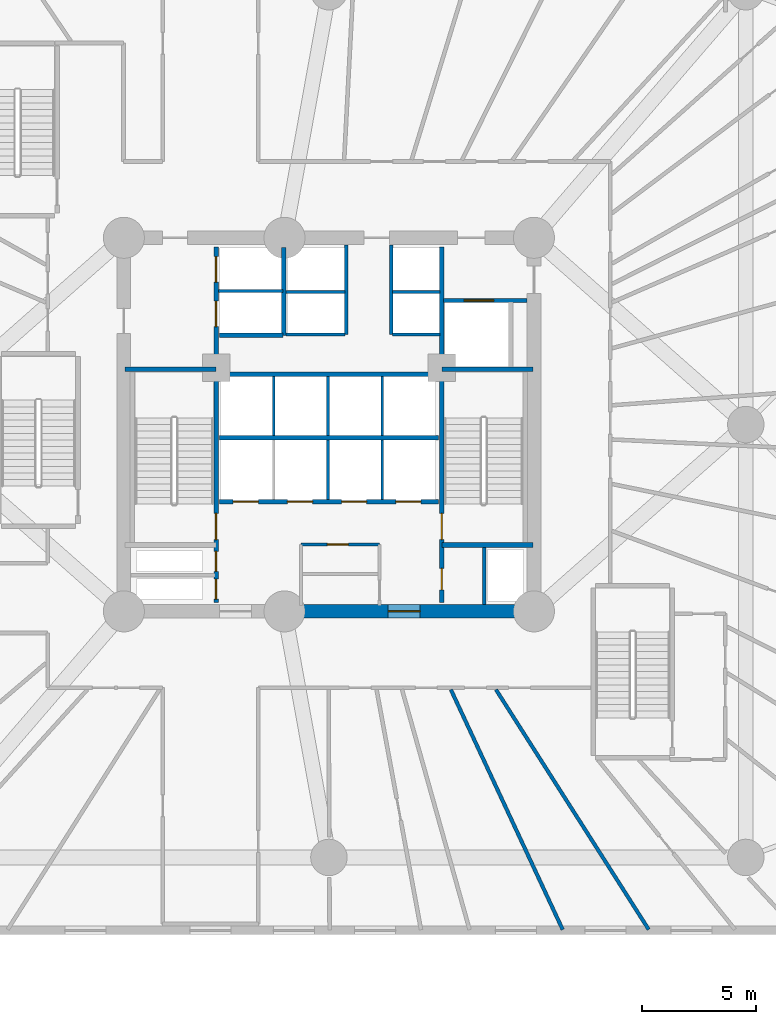
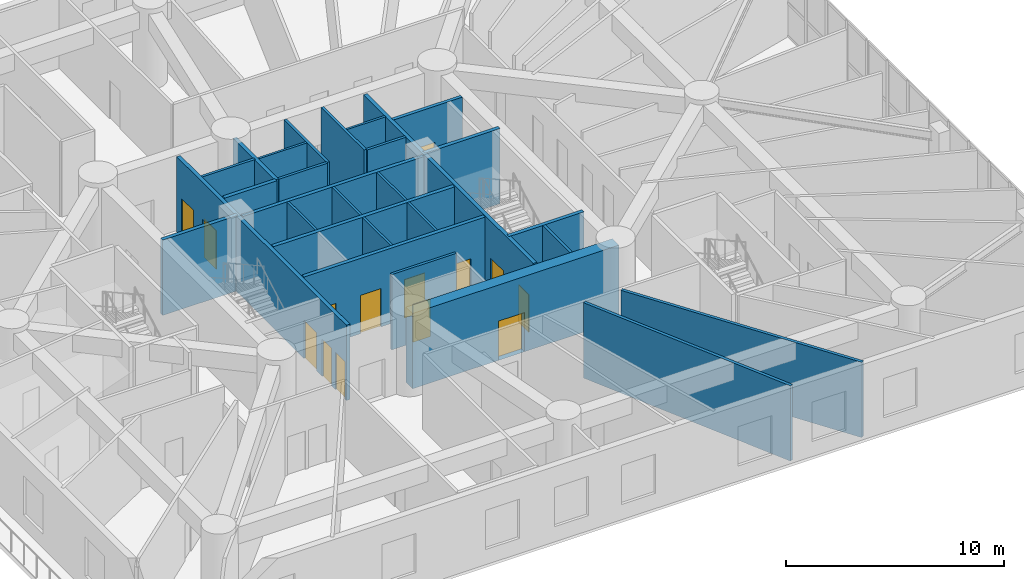
# One storey, part 14 of 24: 28 walls, 14 doors, 14 openings.
"""IFC4 building model written with IfcOpenShell, lengths in metres."""

import ifcopenshell
import ifcopenshell.guid

model = None  # the IFC model being written
_history = None  # IfcOwnerHistory: only IFC2X3 demands one
_inside = {}  # id of a spatial element -> (the spatial element, [elements in it])
_under = {}  # id of a project, library or spatial element -> (it, [spatial elements below it])
_declared = {}  # id of a project -> (the project, [libraries it declares])
_typed = {}  # id of a type object -> (the type object, [elements of that type])
_made_of = {}  # id of a material, layer set ... -> (it, [elements and type objects made of it])


def new_model(schema):
    """Start an empty IFC model of exactly this schema.

    Asked for "IFC4X3", IfcOpenShell would pick the latest addendum, in which some entities
    have other attributes; the version numbers below select the first issue.
    IFC2X3 requires an IfcOwnerHistory on every rooted entity: one is made here for all.
    """
    global model, _history
    if schema == "IFC4X3":
        model = ifcopenshell.file(schema_version=(4, 3, 0, 0))
    else:
        model = ifcopenshell.file(schema=schema)
    _inside.clear()
    _under.clear()
    _declared.clear()
    _typed.clear()
    _made_of.clear()
    _history = None
    if model.schema == "IFC2X3":
        org = make("IfcOrganization", Name="unknown")
        user = make(
            "IfcPersonAndOrganization",
            ThePerson=make("IfcPerson", FamilyName="unknown"),
            TheOrganization=org,
        )
        app = make(
            "IfcApplication",
            ApplicationDeveloper=org,
            Version="unknown",
            ApplicationFullName="unknown",
            ApplicationIdentifier="unknown",
        )
        _history = make(
            "IfcOwnerHistory",
            OwningUser=user,
            OwningApplication=app,
            ChangeAction="ADDED",
            CreationDate=0,
        )
    return model


def make(cls, **values):
    """One entity of the class cls with the attributes given. An attribute that is None is left unset."""
    return model.create_entity(
        cls, **{name: value for name, value in values.items() if value is not None}
    )


def rooted(cls, **values):
    """An entity with a GlobalId (a new one), such as an element, a storey or a relation."""
    return make(cls, GlobalId=ifcopenshell.guid.new(), OwnerHistory=_history, **values)


def si_unit(unit_type, name, prefix=None):
    """IfcSIUnit, for example si_unit("LENGTHUNIT", "METRE", prefix="MILLI")."""
    return make("IfcSIUnit", UnitType=unit_type, Prefix=prefix, Name=name)


def assignment(units):
    """IfcUnitAssignment: the units of a project."""
    return None if units is None else make("IfcUnitAssignment", Units=units)


def point(xyz):
    """IfcCartesianPoint."""
    return None if xyz is None else make("IfcCartesianPoint", Coordinates=xyz)


def direction(xyz):
    """IfcDirection."""
    return None if xyz is None else make("IfcDirection", DirectionRatios=xyz)


def frame(location, z_axis=None, x_axis=None):
    """IfcAxis2Placement3D, a coordinate frame: its origin and axes. An axis left out is left unset."""
    return make(
        "IfcAxis2Placement3D",
        Location=point(location),
        Axis=direction(z_axis),
        RefDirection=direction(x_axis),
    )


def frame_2d(location, x_axis=None):
    """IfcAxis2Placement2D, a coordinate frame in the plane: its origin and x axis."""
    return make(
        "IfcAxis2Placement2D", Location=point(location), RefDirection=direction(x_axis)
    )


def origin():
    """The frame at (0, 0, 0) with its axes left unset."""
    return frame((0.0, 0.0, 0.0))


def origin_with_axes():
    """The frame at (0, 0, 0) with the z axis (0, 0, 1) and the x axis (1, 0, 0) written out."""
    return frame((0.0, 0.0, 0.0), z_axis=(0.0, 0.0, 1.0), x_axis=(1.0, 0.0, 0.0))


def place(relative_to, where):
    """IfcLocalPlacement: puts the frame where relative to a parent placement (None: the world)."""
    return make(
        "IfcLocalPlacement", PlacementRelTo=relative_to, RelativePlacement=where
    )


def context(
    kind, dimensions, precision=None, world=None, true_north=None, identifier=None
):
    """IfcGeometricRepresentationContext, for example the 3D "Model" context."""
    return make(
        "IfcGeometricRepresentationContext",
        ContextIdentifier=identifier,
        ContextType=kind,
        CoordinateSpaceDimension=dimensions,
        Precision=precision,
        WorldCoordinateSystem=world,
        TrueNorth=true_north,
    )


def subcontext(parent, identifier, kind, view, scale=None):
    """IfcGeometricRepresentationSubContext, for example "Body" below "Model"."""
    return make(
        "IfcGeometricRepresentationSubContext",
        ContextIdentifier=identifier,
        ContextType=kind,
        ParentContext=parent,
        TargetScale=scale,
        TargetView=view,
    )


def project(units=None, contexts=None):
    """IfcProject with its units and contexts."""
    return rooted(
        "IfcProject",
        Name="project",
        RepresentationContexts=contexts,
        UnitsInContext=assignment(units),
    )


def spatial(cls, under=None, at=None, **own):
    """A site, building, storey or space (cls), placed at a placement, below another one or the project."""
    s = rooted(cls, ObjectPlacement=at, **own)
    if under is not None:
        _under.setdefault(under.id(), (under, []))[1].append(s)
    return s


def profile(cls, at=None, kind="AREA", **sizes):
    """A parametric profile (cls). Its sizes go by their IFC names, for example OverallWidth=200.0."""
    return make(cls, ProfileType=kind, Position=at, **sizes)


def rectangle(**sizes):
    """IfcRectangleProfileDef."""
    return profile("IfcRectangleProfileDef", **sizes)


def extrude(swept, where, along, depth):
    """IfcExtrudedAreaSolid: the profile swept, set in the frame where, extruded along a direction by depth."""
    return make(
        "IfcExtrudedAreaSolid",
        SweptArea=swept,
        Position=where,
        ExtrudedDirection=direction(along),
        Depth=depth,
    )


def shape(context_of_items, identifier, shape_type, items):
    """IfcShapeRepresentation: the items that make up one representation, for example the "Body"."""
    return make(
        "IfcShapeRepresentation",
        ContextOfItems=context_of_items,
        RepresentationIdentifier=identifier,
        RepresentationType=shape_type,
        Items=items,
    )


def source(mapping_origin, context_of_items, identifier, shape_type, items):
    """IfcRepresentationMap: a shape defined once, which mapped items show again and again."""
    return make(
        "IfcRepresentationMap",
        MappingOrigin=mapping_origin,
        MappedRepresentation=shape(context_of_items, identifier, shape_type, items),
    )


def transform(
    local_origin,
    x_axis=None,
    y_axis=None,
    z_axis=None,
    scale=None,
    scale2=None,
    scale3=None,
    uniform=True,
):
    """IfcCartesianTransformationOperator3D, or its non-uniform kind. x_axis, y_axis, z_axis: its Axis1, 2, 3."""
    if uniform:
        return make(
            "IfcCartesianTransformationOperator3D",
            Axis1=direction(x_axis),
            Axis2=direction(y_axis),
            LocalOrigin=point(local_origin),
            Scale=scale,
            Axis3=direction(z_axis),
        )
    return make(
        "IfcCartesianTransformationOperator3DnonUniform",
        Axis1=direction(x_axis),
        Axis2=direction(y_axis),
        LocalOrigin=point(local_origin),
        Scale=scale,
        Axis3=direction(z_axis),
        Scale2=scale2,
        Scale3=scale3,
    )


def mapped(mapping_source, mapping_target):
    """IfcMappedItem: shows the shape of a source again, moved by a transform."""
    return make(
        "IfcMappedItem", MappingSource=mapping_source, MappingTarget=mapping_target
    )


def material(Name=None, Category=None):
    """IfcMaterial."""
    return make("IfcMaterial", Name=Name, Category=Category)


def layer(
    of_material, thickness, ventilated=None, Name=None, Category=None, Priority=None
):
    """IfcMaterialLayer: one layer of a wall or slab, of a material (None: an air gap)."""
    return make(
        "IfcMaterialLayer",
        Material=of_material,
        LayerThickness=thickness,
        IsVentilated=ventilated,
        Name=Name,
        Category=Category,
        Priority=Priority,
    )


def layer_set(layers, Name=None):
    """IfcMaterialLayerSet."""
    return make("IfcMaterialLayerSet", MaterialLayers=layers, LayerSetName=Name)


def made_of(thing, what):
    """Note that an element or type object is made of a material, layer set ...; save() writes the relation."""
    if what is not None:
        _made_of.setdefault(what.id(), (what, []))[1].append(thing)
    return thing


def type_object(cls, material=None, **own):
    """A type object (cls), such as IfcWallType, which elements share."""
    return made_of(rooted(cls, **own), material)


def element(
    cls,
    number,
    at=None,
    inside=None,
    cuts=None,
    type_object=None,
    material=None,
    context=None,
    identifier="Body",
    shape_type=None,
    held_by="IfcProductDefinitionShape",
    body=None,
    shapes=None,
    **own,
):
    """One element of the class cls, such as IfcWall. Its Tag is "e" and its number.

    at: its placement. inside: the storey or other place that contains it. cuts: it is an
    opening in that element (IfcRelVoidsElement). A single representation is given by context,
    identifier, shape_type and body (its items); several are given by shapes. held_by: the class
    of the entity that holds the representations. save() writes the other relations.
    """
    e = rooted(cls, Tag="e%d" % number, ObjectPlacement=at, **own)
    if body is not None:
        shapes = [shape(context, identifier, shape_type, body)]
    if shapes is not None:
        e.Representation = make(held_by, Representations=shapes)
    if inside is not None:
        _inside.setdefault(inside.id(), (inside, []))[1].append(e)
    if cuts is not None:
        rooted(
            "IfcRelVoidsElement", RelatingBuildingElement=cuts, RelatedOpeningElement=e
        )
    if type_object is not None:
        _typed.setdefault(type_object.id(), (type_object, []))[1].append(e)
    return made_of(e, material)


def fill(opening, filler):
    """IfcRelFillsElement: the door or window that sits in an opening."""
    return rooted(
        "IfcRelFillsElement",
        RelatingOpeningElement=opening,
        RelatedBuildingElement=filler,
    )


def aggregate(whole, parts):
    """IfcRelAggregates: a whole, such as a stair, and the parts it consists of."""
    return rooted("IfcRelAggregates", RelatingObject=whole, RelatedObjects=parts)


def save(model, path):
    """Write the relations noted so far, then the file.

    IfcRelAggregates (storeys below a building ...), IfcRelContainedInSpatialStructure (elements
    in a storey), IfcRelDefinesByType, IfcRelAssociatesMaterial and IfcRelDeclares: one each for
    every whole, place, type object, material and project.
    """
    for whole, parts in _under.values():
        aggregate(whole, parts)
    for where, things in _inside.values():
        rooted(
            "IfcRelContainedInSpatialStructure",
            RelatedElements=things,
            RelatingStructure=where,
        )
    for kind, things in _typed.values():
        rooted("IfcRelDefinesByType", RelatedObjects=things, RelatingType=kind)
    for what, things in _made_of.values():
        rooted("IfcRelAssociatesMaterial", RelatedObjects=things, RelatingMaterial=what)
    for by, libraries in _declared.values():
        rooted("IfcRelDeclares", RelatingContext=by, RelatedDefinitions=libraries)
    model.write(path)


model = new_model("IFC4")

# Units and contexts
model_context = context("Model", 3, precision=1e-05, world=origin(), true_north=direction((0.0, 1.0)))
body_context = subcontext(model_context, "Body", "Model", "MODEL_VIEW")
ifc_project = project(units=[si_unit("LENGTHUNIT", "METRE"), si_unit("AREAUNIT", "SQUARE_METRE"), si_unit("VOLUMEUNIT", "CUBIC_METRE"), si_unit("PLANEANGLEUNIT", "RADIAN"), si_unit("MASSUNIT", "GRAM", prefix="KILO")], contexts=[model_context])

# Site, building, storey
site_placement = place(None, origin())
site = spatial("IfcSite", under=ifc_project, at=site_placement, CompositionType="ELEMENT")
building_placement = place(site_placement, origin())
building = spatial("IfcBuilding", under=site, at=building_placement, Name="Karkom Vertical University and Central Library", CompositionType="ELEMENT")
storey_placement = place(building_placement, frame((0.0, 0.0, 13.5)))
storey = spatial("IfcBuildingStorey", under=building, at=storey_placement, Name="L03", CompositionType="ELEMENT", Elevation=13.5)

# Walls
ifc_material_1 = material(Name="Insulated metal-stud drywall 160mm", Category="gypsum")
ifc_layer_1 = layer(ifc_material_1, 0.159912109375)
ifc_layer_set_1 = layer_set([ifc_layer_1], Name="Insulated metal-stud drywall 160mm")
wall_type_1 = type_object("IfcWallType", Name="INT-WL-COR-160", PredefinedType="PARTITIONING", material=ifc_layer_set_1)
wall_1_placement = place(storey_placement, frame((35.8330078125, 14.867919921875, 0.0), z_axis=(0.0, 0.0, 1.0), x_axis=(0.536972913637, -0.843599484364, 0.0)))
element("IfcWall", 1, at=wall_1_placement, inside=storey, type_object=wall_type_1, Name="Level 03 Interior Partition Wall Level 03-PODW-12-13-1", PredefinedType="PARTITIONING", context=body_context, shape_type="SweptSolid", body=[
    extrude(rectangle(XDim=12.4853515625, YDim=0.159912109375, at=frame_2d((6.24267578125, 0.0))), origin(), (0.0, 0.0, 1.0), 4.22509765625),
])
wall_2_placement = place(storey_placement, frame((33.852783203125, 14.867919921875, 0.0), z_axis=(0.0, 0.0, 1.0), x_axis=(0.422301287801, -0.906455526941, 0.0)))
element("IfcWall", 2, at=wall_2_placement, inside=storey, type_object=wall_type_1, Name="Level 03 Interior Partition Wall Level 03-PODW-11-12-1", PredefinedType="PARTITIONING", context=body_context, shape_type="SweptSolid", body=[
    extrude(rectangle(XDim=11.624267578125, YDim=0.159912109375, at=frame_2d((5.81201171875, 0.0))), origin(), (0.0, 0.0, 1.0), 4.22509765625),
])
ifc_material_2 = material(Name="Moisture-resistant drywall 120mm", Category="gypsum")
ifc_layer_2 = layer(ifc_material_2, 0.1201171875)
ifc_layer_set_2 = layer_set([ifc_layer_2], Name="Moisture-resistant drywall 120mm")
wall_type_2 = type_object("IfcWallType", Name="INT-WL-INT-120H", PredefinedType="PARTITIONING", material=ifc_layer_set_2)
for number, where, z_axis, x_axis, name in (
    (3, (28.4599609375, 23.219970703125, 0.0), (0.0, 0.0, 1.0), (0.0, 1.0, 0.0), "Level 03 Interior Partition Wall Level 03-CW-PL-DIV2"),
    (4, (30.840087890625, 23.219970703125, 0.0), (0.0, 0.0, 1.0), (0.0, 1.0, 0.0), "Level 03 Interior Partition Wall Level 03-CW-PL-DIV3"),
    (5, (26.080078125, 26.02001953125, 0.0), (0.0, 0.0, 1.0), (0.0, 1.0, 0.0), "Level 03 Interior Partition Wall Level 03-CW-PM-DIV1"),
    (6, (28.4599609375, 26.02001953125, 0.0), (0.0, 0.0, 1.0), (0.0, 1.0, 0.0), "Level 03 Interior Partition Wall Level 03-CW-PM-DIV2"),
    (7, (30.840087890625, 26.02001953125, 0.0), (0.0, 0.0, 1.0), (0.0, 1.0, 0.0), "Level 03 Interior Partition Wall Level 03-CW-PM-DIV3"),
):
    element("IfcWall", number, at=place(storey_placement, frame(where, z_axis=z_axis, x_axis=x_axis)), inside=storey, type_object=wall_type_2, Name=name, PredefinedType="PARTITIONING", context=body_context, shape_type="SweptSolid", body=[
        extrude(rectangle(XDim=2.60009765625, YDim=0.1201171875, at=frame_2d((1.300048828125, 0.0))), origin(), (0.0, 0.0, 1.0), 4.22509765625),
    ])
wall_3_placement = place(storey_placement, frame((26.6201171875, 32.320068359375, 0.0), z_axis=(0.0, 0.0, 1.0), x_axis=(1.0, 0.0, 0.0)))
element("IfcWall", 8, at=wall_3_placement, inside=storey, type_object=wall_type_2, Name="Level 03 Interior Partition Wall Level 03-CW-PH-MW", PredefinedType="PARTITIONING", context=body_context, shape_type="SweptSolid", body=[
    extrude(rectangle(XDim=2.579833984375, YDim=0.1201171875, at=frame_2d((1.2900390625, 0.0))), origin(), (0.0, 0.0, 1.0), 4.22509765625),
])
wall_4_placement = place(storey_placement, frame((31.300048828125, 32.320068359375, 0.0), z_axis=(0.0, 0.0, 1.0), x_axis=(1.0, 0.0, 0.0)))
element("IfcWall", 9, at=wall_4_placement, inside=storey, type_object=wall_type_2, Name="Level 03 Interior Partition Wall Level 03-CW-PH-ME", PredefinedType="PARTITIONING", context=body_context, shape_type="SweptSolid", body=[
    extrude(rectangle(XDim=2.074951171875, YDim=0.1201171875, at=frame_2d((1.03759765625, 0.0))), origin(), (0.0, 0.0, 1.0), 4.22509765625),
])

# Wall, opening, door
ifc_material_3 = material(Name="Metal-stud gypsum partition 140mm", Category="gypsum")
ifc_layer_3 = layer(ifc_material_3, 0.139892578125)
ifc_layer_set_3 = layer_set([ifc_layer_3], Name="Metal-stud gypsum partition 140mm")
wall_type_3 = type_object("IfcWallType", Name="INT-WL-SUB-140", PredefinedType="PARTITIONING", material=ifc_layer_set_3)
wall_5_placement = place(storey_placement, frame((27.280029296875, 21.239990234375, 0.0), z_axis=(0.0, 0.0, 1.0), x_axis=(1.0, 0.0, 0.0)))
wall_5 = element("IfcWall", 10, at=wall_5_placement, inside=storey, type_object=wall_type_3, Name="Level 03 Interior Partition Wall Level 03-CW-KBAY-N", PredefinedType="PARTITIONING", context=body_context, shape_type="SweptSolid", body=[
    extrude(rectangle(XDim=3.43994140625, YDim=0.139892578125, at=frame_2d((1.719970703125, 0.0))), origin(), (0.0, 0.0, 1.0), 4.22509765625),
])
opening_1_placement = place(wall_5_placement, frame((1.14990234375, 0.0, 0.0)))
opening_1 = element("IfcOpeningElement", 11, at=opening_1_placement, cuts=wall_5, Name="Opening D-SVC1", PredefinedType="OPENING", context=body_context, shape_type="SweptSolid", body=[
    extrude(rectangle(XDim=0.919921875, YDim=2.10009765625, at=frame_2d((0.4599609375, 1.050048828125))), frame((0.0, 0.080078125, 0.0), z_axis=(0.0, -1.0, 0.0), x_axis=(1.0, 0.0, 0.0)), (0.0, 0.0, 1.0), 0.159912109375),
])
ifc_material_4 = material(Name="Painted timber service door", Category="wood")
door_type_1 = type_object("IfcDoorType", Name="INT-DR-SVC1", OperationType="NOTDEFINED", PredefinedType="DOOR", material=ifc_material_4)
shared_shape_1 = source(origin_with_axes(), body_context, "Body", "SweptSolid", [
    extrude(rectangle(XDim=0.919921875, YDim=2.10009765625, at=frame_2d((0.4599609375, 1.050048828125))), frame((0.0, 0.02490234375, 0.0), z_axis=(0.0, -1.0, 0.0), x_axis=(1.0, 0.0, 0.0)), (0.0, 0.0, 1.0), 0.050048828125),
])
door_1_placement = place(opening_1_placement, origin())
door_1 = element("IfcDoor", 12, at=door_1_placement, inside=storey, type_object=door_type_1, Name="Level 03 Valve Cupboard Door", OperationType="SINGLE_SWING_RIGHT", OverallHeight=2.10009765625, OverallWidth=0.919921875, PredefinedType="DOOR", context=body_context, shape_type="MappedRepresentation", body=[
    mapped(shared_shape_1, transform((0.0, 0.0, 0.0), scale=1.0)),
])
fill(opening_1, door_1)

# Walls
ifc_layer_4 = layer(ifc_material_3, 0.139892578125)
ifc_layer_set_4 = layer_set([ifc_layer_4], Name="Metal-stud gypsum partition 140mm")
wall_type_4 = type_object("IfcWallType", Name="INT-WL-SUB-140H", PredefinedType="PARTITIONING", material=ifc_layer_set_4)
for number, where, z_axis, x_axis, name in (
    (13, (29.260009765625, 30.449951171875, 0.0), (0.0, 0.0, 1.0), (0.0, 1.0, 0.0), "Level 03 Interior Partition Wall Level 03-CW-PH-W"),
    (14, (31.239990234375, 30.449951171875, 0.0), (0.0, 0.0, 1.0), (0.0, 1.0, 0.0), "Level 03 Interior Partition Wall Level 03-CW-PH-E"),
):
    element("IfcWall", number, at=place(storey_placement, frame(where, z_axis=z_axis, x_axis=x_axis)), inside=storey, type_object=wall_type_4, Name=name, PredefinedType="PARTITIONING", context=body_context, shape_type="SweptSolid", body=[
        extrude(rectangle(XDim=3.943115234375, YDim=0.139892578125, at=frame_2d((1.9716796875, 0.0))), origin(), (0.0, 0.0, 1.0), 4.22509765625),
    ])
wall_6_placement = place(storey_placement, frame((26.6201171875, 30.449951171875, 0.0), z_axis=(0.0, 0.0, 1.0), x_axis=(1.0, 0.0, 0.0)))
element("IfcWall", 15, at=wall_6_placement, inside=storey, type_object=wall_type_4, Name="Level 03 Interior Partition Wall Level 03-CW-PH-S1", PredefinedType="PARTITIONING", context=body_context, shape_type="SweptSolid", body=[
    extrude(rectangle(XDim=2.579833984375, YDim=0.139892578125, at=frame_2d((1.2900390625, 0.0))), origin(), (0.0, 0.0, 1.0), 4.22509765625),
])
wall_7_placement = place(storey_placement, frame((35.320068359375, 18.60693359375, 0.0), z_axis=(0.0, 0.0, 1.0), x_axis=(0.0, 1.0, 0.0)))
element("IfcWall", 16, at=wall_7_placement, inside=storey, type_object=wall_type_4, Name="Level 03 Interior Partition Wall Level 03-CW-RIS-E", PredefinedType="PARTITIONING", context=body_context, shape_type="SweptSolid", body=[
    extrude(rectangle(XDim=2.502685546875, YDim=0.139892578125, at=frame_2d((1.25146484375, 0.0))), origin(), (0.0, 0.0, 1.0), 4.22509765625),
])
wall_8_placement = place(storey_placement, frame((31.300048828125, 30.449951171875, 0.0), z_axis=(0.0, 0.0, 1.0), x_axis=(1.0, 0.0, 0.0)))
element("IfcWall", 17, at=wall_8_placement, inside=storey, type_object=wall_type_4, Name="Level 03 Interior Partition Wall Level 03-CW-PH-S2", PredefinedType="PARTITIONING", context=body_context, shape_type="SweptSolid", body=[
    extrude(rectangle(XDim=2.074951171875, YDim=0.139892578125, at=frame_2d((1.03759765625, 0.0))), origin(), (0.0, 0.0, 1.0), 4.22509765625),
])
ifc_layer_5 = layer(ifc_material_3, 0.139892578125)
ifc_layer_set_5 = layer_set([ifc_layer_5], Name="Metal-stud gypsum partition 140mm")
wall_type_5 = type_object("IfcWallType", Name="INT-WL-SUB-140X", PredefinedType="PARTITIONING", material=ifc_layer_set_5)
wall_9_placement = place(storey_placement, frame((23.652099609375, 32.3701171875, 0.0), z_axis=(0.0, 0.0, 1.0), x_axis=(1.0, 0.0, 0.0)))
element("IfcWall", 18, at=wall_9_placement, inside=storey, type_object=wall_type_5, Name="Level 03 Interior Partition Wall Level 03-CW-FFL-M", PredefinedType="PARTITIONING", context=body_context, shape_type="SweptSolid", body=[
    extrude(rectangle(XDim=2.827880859375, YDim=0.139892578125, at=frame_2d((1.4140625, 0.0))), origin(), (0.0, 0.0, 1.0), 4.22509765625),
])

# Wall, opening, door
ifc_material_5 = material(Name="Twin-stud acoustic drywall 180mm", Category="gypsum")
ifc_layer_6 = layer(ifc_material_5, 0.179931640625)
ifc_layer_set_6 = layer_set([ifc_layer_6], Name="Twin-stud acoustic drywall 180mm")
wall_type_6 = type_object("IfcWallType", Name="INT-WL-TEN-180F", PredefinedType="PARTITIONING", material=ifc_layer_set_6)
wall_10_placement = place(storey_placement, frame((33.534912109375, 31.949951171875, 0.0), z_axis=(0.0, 0.0, 1.0), x_axis=(1.0, 0.0, 0.0)))
wall_10 = element("IfcWall", 19, at=wall_10_placement, inside=storey, type_object=wall_type_6, Name="Level 03 Interior Partition Wall Level 03-CW-SVL-N", PredefinedType="PARTITIONING", context=body_context, shape_type="SweptSolid", body=[
    extrude(rectangle(XDim=3.658447265625, YDim=0.179931640625, at=frame_2d((1.8291015625, 0.0))), origin(), (0.0, 0.0, 1.0), 4.22509765625),
])
opening_2_placement = place(wall_10_placement, frame((0.89990234375, 0.0, 0.0)))
opening_2 = element("IfcOpeningElement", 20, at=opening_2_placement, cuts=wall_10, Name="Opening LD-SV1", PredefinedType="OPENING", context=body_context, shape_type="SweptSolid", body=[
    extrude(rectangle(XDim=1.300048828125, YDim=2.199951171875, at=frame_2d((0.64990234375, 1.10009765625))), frame((0.0, 0.10009765625, 0.0), z_axis=(0.0, -1.0, 0.0), x_axis=(1.0, 0.0, 0.0)), (0.0, 0.0, 1.0), 0.199951171875),
])
ifc_material_6 = material(Name="Brushed stainless-steel landing door", Category="steel")
door_type_2 = type_object("IfcDoorType", Name="INT-DR-LD-SV1", OperationType="SLIDING_TO_LEFT", PredefinedType="DOOR", material=ifc_material_6)
shared_shape_2 = source(origin_with_axes(), body_context, "Body", "SweptSolid", [
    extrude(rectangle(XDim=1.300048828125, YDim=2.199951171875, at=frame_2d((0.64990234375, 1.10009765625))), frame((0.0, 0.02490234375, 0.0), z_axis=(0.0, -1.0, 0.0), x_axis=(1.0, 0.0, 0.0)), (0.0, 0.0, 1.0), 0.050048828125),
])
door_2_placement = place(opening_2_placement, origin())
door_2 = element("IfcDoor", 21, at=door_2_placement, inside=storey, type_object=door_type_2, Name="Level 03 Service Lift Landing Door LD-SV1", OperationType="SLIDING_TO_LEFT", OverallHeight=2.199951171875, OverallWidth=1.300048828125, PredefinedType="DOOR", context=body_context, shape_type="MappedRepresentation", body=[
    mapped(shared_shape_2, transform((0.0, 0.0, 0.0), scale=1.0)),
])
fill(opening_2, door_2)

ifc_material_7 = material(Name="Concrete C50/60", Category="concrete")
ifc_layer_7 = layer(ifc_material_7, 0.60009765625)
ifc_layer_set_7 = layer_set([ifc_layer_7], Name="Concrete C50/60")
wall_type_7 = type_object("IfcWallType", Name="STR-WL-CW-600", PredefinedType="SHEAR", material=ifc_layer_set_7)
wall_11_placement = place(storey_placement, frame((26.550048828125, 18.300048828125, 0.0), z_axis=(0.0, 0.0, 1.0), x_axis=(1.0, 0.0, 0.0)))
wall_11 = element("IfcWall", 22, at=wall_11_placement, inside=storey, type_object=wall_type_7, Name="Level 03 Central Core Shear Wall SW2", PredefinedType="SHEAR", context=body_context, shape_type="SweptSolid", body=[
    extrude(rectangle(XDim=10.949951171875, YDim=0.60009765625, at=frame_2d((5.47509765625, 0.0))), origin(), (0.0, 0.0, 1.0), 4.22509765625),
])
opening_3_placement = place(wall_11_placement, frame((4.550048828125, 0.0, 0.0)))
opening_3 = element("IfcOpeningElement", 23, at=opening_3_placement, cuts=wall_11, Name="Opening FD-CLB", PredefinedType="OPENING", context=body_context, shape_type="SweptSolid", body=[
    extrude(rectangle(XDim=1.39990234375, YDim=2.199951171875, at=frame_2d((0.699951171875, 1.10009765625))), frame((0.0, 0.31005859375, 0.0), z_axis=(0.0, -1.0, 0.0), x_axis=(1.0, 0.0, 0.0)), (0.0, 0.0, 1.0), 0.6201171875),
])
ifc_material_8 = material(Name="Painted steel fire door", Category="steel")
door_type_3 = type_object("IfcDoorType", Name="INT-DR-CLB", OperationType="DOUBLE_DOOR_SINGLE_SWING", PredefinedType="DOOR", material=ifc_material_8)
shared_shape_3 = source(origin_with_axes(), body_context, "Body", "SweptSolid", [
    extrude(rectangle(XDim=1.39990234375, YDim=2.199951171875, at=frame_2d((0.699951171875, 1.10009765625))), frame((0.0, 0.02490234375, 0.0), z_axis=(0.0, -1.0, 0.0), x_axis=(1.0, 0.0, 0.0)), (0.0, 0.0, 1.0), 0.050048828125),
])
door_3_placement = place(opening_3_placement, origin())
door_3 = element("IfcDoor", 24, at=door_3_placement, inside=storey, type_object=door_type_3, Name="Level 03 South Core Lobby East Exit Door", OperationType="DOUBLE_DOOR_SINGLE_SWING", OverallHeight=2.199951171875, OverallWidth=1.39990234375, PredefinedType="DOOR", context=body_context, shape_type="MappedRepresentation", body=[
    mapped(shared_shape_3, transform((0.0, 0.0, 0.0), scale=1.0)),
])
fill(opening_3, door_3)

# Wall, openings, doors
ifc_material_9 = material(Name="Concrete C45/55", Category="concrete")
ifc_layer_8 = layer(ifc_material_9, 0.199951171875)
ifc_layer_set_8 = layer_set([ifc_layer_8], Name="Concrete C45/55")
wall_type_8 = type_object("IfcWallType", Name="STR-WL-ST-200", PredefinedType="SHEAR", material=ifc_layer_set_8)
wall_12_placement = place(storey_placement, frame((23.544921875, 18.699951171875, 0.0), z_axis=(0.0, 0.0, 1.0), x_axis=(0.0, 1.0, 0.0)))
wall_12 = element("IfcWall", 25, at=wall_12_placement, inside=storey, type_object=wall_type_8, Name="Level 03 Core Shaft Wall Level 03-CW-ST1-E", PredefinedType="SHEAR", context=body_context, shape_type="SweptSolid", body=[
    extrude(rectangle(XDim=15.60009765625, YDim=0.199951171875, at=frame_2d((7.800048828125, 0.0))), origin(), (0.0, 0.0, 1.0), 4.22509765625),
])
opening_4_placement = place(wall_12_placement, frame((2.75, 0.0, 0.0)))
opening_4 = element("IfcOpeningElement", 26, at=opening_4_placement, cuts=wall_12, Name="Opening FD-ST1", PredefinedType="OPENING", context=body_context, shape_type="SweptSolid", body=[
    extrude(rectangle(XDim=1.14990234375, YDim=2.14990234375, at=frame_2d((0.574951171875, 1.074951171875))), frame((0.0, 0.10986328125, 0.0), z_axis=(0.0, -1.0, 0.0), x_axis=(1.0, 0.0, 0.0)), (0.0, 0.0, 1.0), 0.219970703125),
])
opening_5_placement = place(wall_12_placement, frame((0.139892578125, 0.0, 0.0)))
opening_5 = element("IfcOpeningElement", 27, at=opening_5_placement, cuts=wall_12, Name="Opening FD-RIS", PredefinedType="OPENING", context=body_context, shape_type="SweptSolid", body=[
    extrude(rectangle(XDim=0.8798828125, YDim=2.10009765625, at=frame_2d((0.43994140625, 1.050048828125))), frame((0.0, 0.10986328125, 0.0), z_axis=(0.0, -1.0, 0.0), x_axis=(1.0, 0.0, 0.0)), (0.0, 0.0, 1.0), 0.219970703125),
])
opening_6_placement = place(wall_12_placement, frame((1.360107421875, 0.0, 0.0)))
opening_6 = element("IfcOpeningElement", 28, at=opening_6_placement, cuts=wall_12, Name="Opening FD-RIS", PredefinedType="OPENING", context=body_context, shape_type="SweptSolid", body=[
    extrude(rectangle(XDim=0.8798828125, YDim=2.10009765625, at=frame_2d((0.43994140625, 1.050048828125))), frame((0.0, 0.10986328125, 0.0), z_axis=(0.0, -1.0, 0.0), x_axis=(1.0, 0.0, 0.0)), (0.0, 0.0, 1.0), 0.219970703125),
])
opening_7_placement = place(wall_12_placement, frame((12.10009765625, 0.0, 0.0)))
opening_7 = element("IfcOpeningElement", 29, at=opening_7_placement, cuts=wall_12, Name="Opening LD-FFL", PredefinedType="OPENING", context=body_context, shape_type="SweptSolid", body=[
    extrude(rectangle(XDim=1.1201171875, YDim=2.14990234375, at=frame_2d((0.56005859375, 1.074951171875))), frame((0.0, 0.10986328125, 0.0), z_axis=(0.0, -1.0, 0.0), x_axis=(1.0, 0.0, 0.0)), (0.0, 0.0, 1.0), 0.219970703125),
])
opening_8_placement = place(wall_12_placement, frame((14.050048828125, 0.0, 0.0)))
opening_8 = element("IfcOpeningElement", 30, at=opening_8_placement, cuts=wall_12, Name="Opening LD-FFL", PredefinedType="OPENING", context=body_context, shape_type="SweptSolid", body=[
    extrude(rectangle(XDim=1.1201171875, YDim=2.14990234375, at=frame_2d((0.56005859375, 1.074951171875))), frame((0.0, 0.10986328125, 0.0), z_axis=(0.0, -1.0, 0.0), x_axis=(1.0, 0.0, 0.0)), (0.0, 0.0, 1.0), 0.219970703125),
])
ifc_material_10 = material(Name="Painted steel acoustic fire door", Category="steel")
door_type_4 = type_object("IfcDoorType", Name="INT-DR-ST1", OperationType="NOTDEFINED", PredefinedType="DOOR", material=ifc_material_10)
shared_shape_4 = source(origin_with_axes(), body_context, "Body", "SweptSolid", [
    extrude(rectangle(XDim=1.14990234375, YDim=2.14990234375, at=frame_2d((0.574951171875, 1.074951171875))), frame((0.0, 0.02490234375, 0.0), z_axis=(0.0, -1.0, 0.0), x_axis=(1.0, 0.0, 0.0)), (0.0, 0.0, 1.0), 0.050048828125),
])
door_4_placement = place(opening_4_placement, origin())
door_4 = element("IfcDoor", 31, at=door_4_placement, inside=storey, type_object=door_type_4, Name="Level 03 Stair ST-1 Fire Door", OperationType="SINGLE_SWING_RIGHT", OverallHeight=2.14990234375, OverallWidth=1.14990234375, PredefinedType="DOOR", context=body_context, shape_type="MappedRepresentation", body=[
    mapped(shared_shape_4, transform((0.0, 0.0, 0.0), scale=1.0)),
])
fill(opening_4, door_4)
ifc_material_11 = material(Name="Painted steel riser access door", Category="steel")
door_type_5 = type_object("IfcDoorType", Name="INT-DR-RIS", OperationType="NOTDEFINED", PredefinedType="DOOR", material=ifc_material_11)
shared_shape_5 = source(origin_with_axes(), body_context, "Body", "SweptSolid", [
    extrude(rectangle(XDim=0.8798828125, YDim=2.10009765625, at=frame_2d((0.43994140625, 1.050048828125))), frame((0.0, 0.02490234375, 0.0), z_axis=(0.0, -1.0, 0.0), x_axis=(1.0, 0.0, 0.0)), (0.0, 0.0, 1.0), 0.050048828125),
])
door_5_placement = place(opening_5_placement, origin())
door_5 = element("IfcDoor", 32, at=door_5_placement, inside=storey, type_object=door_type_5, Name="Level 03 Electrical Riser Access Door", OperationType="SINGLE_SWING_RIGHT", OverallHeight=2.10009765625, OverallWidth=0.8798828125, PredefinedType="DOOR", context=body_context, shape_type="MappedRepresentation", body=[
    mapped(shared_shape_5, transform((0.0, 0.0, 0.0), scale=1.0)),
])
fill(opening_5, door_5)
door_6_placement = place(opening_6_placement, origin())
door_6 = element("IfcDoor", 33, at=door_6_placement, inside=storey, type_object=door_type_5, Name="Level 03 Telecom Riser Access Door", OperationType="SINGLE_SWING_LEFT", OverallHeight=2.10009765625, OverallWidth=0.8798828125, PredefinedType="DOOR", context=body_context, shape_type="MappedRepresentation", body=[
    mapped(shared_shape_5, transform((0.0, 0.0, 0.0), scale=1.0)),
])
fill(opening_6, door_6)
ifc_material_12 = material(Name="Fire-rated stainless-steel landing door", Category="steel")
door_type_6 = type_object("IfcDoorType", Name="INT-DR-LD-FFL", OperationType="SLIDING_TO_LEFT", PredefinedType="DOOR", material=ifc_material_12)
shared_shape_6 = source(origin_with_axes(), body_context, "Body", "SweptSolid", [
    extrude(rectangle(XDim=1.1201171875, YDim=2.14990234375, at=frame_2d((0.56005859375, 1.074951171875))), frame((0.0, 0.02490234375, 0.0), z_axis=(0.0, -1.0, 0.0), x_axis=(1.0, 0.0, 0.0)), (0.0, 0.0, 1.0), 0.050048828125),
])
door_7_placement = place(opening_7_placement, origin())
door_7 = element("IfcDoor", 34, at=door_7_placement, inside=storey, type_object=door_type_6, Name="Level 03 Firefighting Lift FFL-1 Landing Door", OperationType="SLIDING_TO_LEFT", OverallHeight=2.14990234375, OverallWidth=1.1201171875, PredefinedType="DOOR", context=body_context, shape_type="MappedRepresentation", body=[
    mapped(shared_shape_6, transform((0.0, 0.0, 0.0), scale=1.0)),
])
fill(opening_7, door_7)
door_8_placement = place(opening_8_placement, origin())
door_8 = element("IfcDoor", 35, at=door_8_placement, inside=storey, type_object=door_type_6, Name="Level 03 Firefighting Lift FFL-2 Landing Door", OperationType="SLIDING_TO_RIGHT", OverallHeight=2.14990234375, OverallWidth=1.1201171875, PredefinedType="DOOR", context=body_context, shape_type="MappedRepresentation", body=[
    mapped(shared_shape_6, transform((0.0, 0.0, 0.0), scale=1.0)),
])
fill(opening_8, door_8)

wall_13_placement = place(storey_placement, frame((33.455078125, 18.699951171875, 0.0), z_axis=(0.0, 0.0, 1.0), x_axis=(0.0, 1.0, 0.0)))
wall_13 = element("IfcWall", 36, at=wall_13_placement, inside=storey, type_object=wall_type_8, Name="Level 03 Core Shaft Wall Level 03-CW-ST2-W", PredefinedType="SHEAR", context=body_context, shape_type="SweptSolid", body=[
    extrude(rectangle(XDim=15.60009765625, YDim=0.199951171875, at=frame_2d((7.800048828125, 0.0))), origin(), (0.0, 0.0, 1.0), 4.22509765625),
])
opening_9_placement = place(wall_13_placement, frame((2.75, 0.0, 0.0)))
opening_9 = element("IfcOpeningElement", 37, at=opening_9_placement, cuts=wall_13, Name="Opening FD-ST1", PredefinedType="OPENING", context=body_context, shape_type="SweptSolid", body=[
    extrude(rectangle(XDim=1.14990234375, YDim=2.14990234375, at=frame_2d((0.574951171875, 1.074951171875))), frame((0.0, 0.10986328125, 0.0), z_axis=(0.0, -1.0, 0.0), x_axis=(1.0, 0.0, 0.0)), (0.0, 0.0, 1.0), 0.219970703125),
])
opening_10_placement = place(wall_13_placement, frame((0.550048828125, 0.0, 0.0)))
opening_10 = element("IfcOpeningElement", 38, at=opening_10_placement, cuts=wall_13, Name="Opening D-WC1", PredefinedType="OPENING", context=body_context, shape_type="SweptSolid", body=[
    extrude(rectangle(XDim=0.93994140625, YDim=2.10009765625, at=frame_2d((0.469970703125, 1.050048828125))), frame((0.0, 0.10986328125, 0.0), z_axis=(0.0, -1.0, 0.0), x_axis=(1.0, 0.0, 0.0)), (0.0, 0.0, 1.0), 0.219970703125),
])
door_9_placement = place(opening_9_placement, origin())
door_9 = element("IfcDoor", 39, at=door_9_placement, inside=storey, type_object=door_type_4, Name="Level 03 Stair ST-2 Fire Door", OperationType="SINGLE_SWING_LEFT", OverallHeight=2.14990234375, OverallWidth=1.14990234375, PredefinedType="DOOR", context=body_context, shape_type="MappedRepresentation", body=[
    mapped(shared_shape_4, transform((0.0, 0.0, 0.0), scale=1.0)),
])
fill(opening_9, door_9)
ifc_material_13 = material(Name="Fire-rated laminate moisture-resistant door", Category="wood")
door_type_7 = type_object("IfcDoorType", Name="INT-DR-WC1", OperationType="NOTDEFINED", PredefinedType="DOOR", material=ifc_material_13)
shared_shape_7 = source(origin_with_axes(), body_context, "Body", "SweptSolid", [
    extrude(rectangle(XDim=0.93994140625, YDim=2.10009765625, at=frame_2d((0.469970703125, 1.050048828125))), frame((0.0, 0.02490234375, 0.0), z_axis=(0.0, -1.0, 0.0), x_axis=(1.0, 0.0, 0.0)), (0.0, 0.0, 1.0), 0.050048828125),
])
door_10_placement = place(opening_10_placement, origin())
door_10 = element("IfcDoor", 40, at=door_10_placement, inside=storey, type_object=door_type_7, Name="Level 03 Accessible WC Door", OperationType="SINGLE_SWING_RIGHT", OverallHeight=2.10009765625, OverallWidth=0.93994140625, PredefinedType="DOOR", context=body_context, shape_type="MappedRepresentation", body=[
    mapped(shared_shape_7, transform((0.0, 0.0, 0.0), scale=1.0)),
])
fill(opening_10, door_10)

wall_14_placement = place(storey_placement, frame((23.699951171875, 23.1201171875, 0.0), z_axis=(0.0, 0.0, 1.0), x_axis=(1.0, 0.0, 0.0)))
wall_14 = element("IfcWall", 41, at=wall_14_placement, inside=storey, type_object=wall_type_8, Name="Level 03 Core Shaft Wall Level 03-CW-B1-S", PredefinedType="SHEAR", context=body_context, shape_type="SweptSolid", body=[
    extrude(rectangle(XDim=9.60009765625, YDim=0.199951171875, at=frame_2d((4.800048828125, 0.0))), origin(), (0.0, 0.0, 1.0), 4.22509765625),
])
opening_11_placement = place(wall_14_placement, frame((0.60009765625, 0.0, 0.0)))
opening_11 = element("IfcOpeningElement", 42, at=opening_11_placement, cuts=wall_14, Name="Opening LD-PAX", PredefinedType="OPENING", context=body_context, shape_type="SweptSolid", body=[
    extrude(rectangle(XDim=1.10009765625, YDim=2.14990234375, at=frame_2d((0.550048828125, 1.074951171875))), frame((0.0, 0.10986328125, 0.0), z_axis=(0.0, -1.0, 0.0), x_axis=(1.0, 0.0, 0.0)), (0.0, 0.0, 1.0), 0.219970703125),
])
opening_12_placement = place(wall_14_placement, frame((2.97998046875, 0.0, 0.0)))
opening_12 = element("IfcOpeningElement", 43, at=opening_12_placement, cuts=wall_14, Name="Opening LD-PAX", PredefinedType="OPENING", context=body_context, shape_type="SweptSolid", body=[
    extrude(rectangle(XDim=1.10009765625, YDim=2.14990234375, at=frame_2d((0.550048828125, 1.074951171875))), frame((0.0, 0.10986328125, 0.0), z_axis=(0.0, -1.0, 0.0), x_axis=(1.0, 0.0, 0.0)), (0.0, 0.0, 1.0), 0.219970703125),
])
opening_13_placement = place(wall_14_placement, frame((5.360107421875, 0.0, 0.0)))
opening_13 = element("IfcOpeningElement", 44, at=opening_13_placement, cuts=wall_14, Name="Opening LD-PAX", PredefinedType="OPENING", context=body_context, shape_type="SweptSolid", body=[
    extrude(rectangle(XDim=1.10009765625, YDim=2.14990234375, at=frame_2d((0.550048828125, 1.074951171875))), frame((0.0, 0.10986328125, 0.0), z_axis=(0.0, -1.0, 0.0), x_axis=(1.0, 0.0, 0.0)), (0.0, 0.0, 1.0), 0.219970703125),
])
opening_14_placement = place(wall_14_placement, frame((7.739990234375, 0.0, 0.0)))
opening_14 = element("IfcOpeningElement", 45, at=opening_14_placement, cuts=wall_14, Name="Opening LD-PAX", PredefinedType="OPENING", context=body_context, shape_type="SweptSolid", body=[
    extrude(rectangle(XDim=1.10009765625, YDim=2.14990234375, at=frame_2d((0.550048828125, 1.074951171875))), frame((0.0, 0.10986328125, 0.0), z_axis=(0.0, -1.0, 0.0), x_axis=(1.0, 0.0, 0.0)), (0.0, 0.0, 1.0), 0.219970703125),
])
door_type_8 = type_object("IfcDoorType", Name="INT-DR-LD-PAX", OperationType="SLIDING_TO_LEFT", PredefinedType="DOOR", material=ifc_material_6)
shared_shape_8 = source(origin_with_axes(), body_context, "Body", "SweptSolid", [
    extrude(rectangle(XDim=1.10009765625, YDim=2.14990234375, at=frame_2d((0.550048828125, 1.074951171875))), frame((0.0, 0.02490234375, 0.0), z_axis=(0.0, -1.0, 0.0), x_axis=(1.0, 0.0, 0.0)), (0.0, 0.0, 1.0), 0.050048828125),
])
door_11_placement = place(opening_11_placement, origin())
door_11 = element("IfcDoor", 46, at=door_11_placement, inside=storey, type_object=door_type_8, Name="Level 03 Lift PL-1 Landing Door", OperationType="SLIDING_TO_LEFT", OverallHeight=2.14990234375, OverallWidth=1.10009765625, PredefinedType="DOOR", context=body_context, shape_type="MappedRepresentation", body=[
    mapped(shared_shape_8, transform((0.0, 0.0, 0.0), scale=1.0)),
])
fill(opening_11, door_11)
door_12_placement = place(opening_12_placement, origin())
door_12 = element("IfcDoor", 47, at=door_12_placement, inside=storey, type_object=door_type_8, Name="Level 03 Lift PL-2 Landing Door", OperationType="SLIDING_TO_RIGHT", OverallHeight=2.14990234375, OverallWidth=1.10009765625, PredefinedType="DOOR", context=body_context, shape_type="MappedRepresentation", body=[
    mapped(shared_shape_8, transform((0.0, 0.0, 0.0), scale=1.0)),
])
fill(opening_12, door_12)
door_13_placement = place(opening_13_placement, origin())
door_13 = element("IfcDoor", 48, at=door_13_placement, inside=storey, type_object=door_type_8, Name="Level 03 Lift PL-3 Landing Door", OperationType="SLIDING_TO_LEFT", OverallHeight=2.14990234375, OverallWidth=1.10009765625, PredefinedType="DOOR", context=body_context, shape_type="MappedRepresentation", body=[
    mapped(shared_shape_8, transform((0.0, 0.0, 0.0), scale=1.0)),
])
fill(opening_13, door_13)
door_14_placement = place(opening_14_placement, origin())
door_14 = element("IfcDoor", 49, at=door_14_placement, inside=storey, type_object=door_type_8, Name="Level 03 Lift PL-4 Landing Door", OperationType="SLIDING_TO_RIGHT", OverallHeight=2.14990234375, OverallWidth=1.10009765625, PredefinedType="DOOR", context=body_context, shape_type="MappedRepresentation", body=[
    mapped(shared_shape_8, transform((0.0, 0.0, 0.0), scale=1.0)),
])
fill(opening_14, door_14)

# Walls
for number, where, z_axis, x_axis, name in (
    (50, (23.699951171875, 25.919921875, 0.0), (0.0, 0.0, 1.0), (1.0, 0.0, 0.0), "Level 03 Core Shaft Wall Level 03-CW-B1-N"),
    (51, (23.699951171875, 28.719970703125, 0.0), (0.0, 0.0, 1.0), (1.0, 0.0, 0.0), "Level 03 Core Shaft Wall Level 03-CW-B2-N"),
):
    element("IfcWall", number, at=place(storey_placement, frame(where, z_axis=z_axis, x_axis=x_axis)), inside=storey, type_object=wall_type_8, Name=name, PredefinedType="SHEAR", context=body_context, shape_type="SweptSolid", body=[
        extrude(rectangle(XDim=9.60009765625, YDim=0.199951171875, at=frame_2d((4.800048828125, 0.0))), origin(), (0.0, 0.0, 1.0), 4.22509765625),
    ])
for number, where, z_axis, x_axis, name in (
    (52, (33.455078125, 21.215087890625, 0.0), (0.0, 0.0, 1.0), (1.0, 0.0, 0.0), "Level 03 Core Shaft Wall Level 03-CW-ST2-S"),
    (53, (33.455078125, 28.925048828125, 0.0), (0.0, 0.0, 1.0), (1.0, 0.0, 0.0), "Level 03 Core Shaft Wall Level 03-CW-ST2-N"),
    (54, (19.550048828125, 28.925048828125, 0.0), (0.0, 0.0, 1.0), (1.0, 0.0, 0.0), "Level 03 Core Shaft Wall Level 03-CW-ST1-N"),
):
    element("IfcWall", number, at=place(storey_placement, frame(where, z_axis=z_axis, x_axis=x_axis)), inside=storey, type_object=wall_type_8, Name=name, PredefinedType="SHEAR", context=body_context, shape_type="SweptSolid", body=[
        extrude(rectangle(XDim=3.994873046875, YDim=0.199951171875, at=frame_2d((1.99755859375, 0.0))), origin(), (0.0, 0.0, 1.0), 4.22509765625),
    ])
wall_15_placement = place(storey_placement, frame((26.52001953125, 30.419921875, 0.0), z_axis=(0.0, 0.0, 1.0), x_axis=(0.0, 1.0, 0.0)))
element("IfcWall", 55, at=wall_15_placement, inside=storey, type_object=wall_type_8, Name="Level 03 Core Shaft Wall Level 03-CW-FFL-E", PredefinedType="SHEAR", context=body_context, shape_type="SweptSolid", body=[
    extrude(rectangle(XDim=3.860107421875, YDim=0.199951171875, at=frame_2d((1.93017578125, 0.0))), origin(), (0.0, 0.0, 1.0), 4.22509765625),
])
wall_16_placement = place(storey_placement, frame((23.699951171875, 30.419921875, 0.0), z_axis=(0.0, 0.0, 1.0), x_axis=(1.0, 0.0, 0.0)))
element("IfcWall", 56, at=wall_16_placement, inside=storey, type_object=wall_type_8, Name="Level 03 Core Shaft Wall Level 03-CW-FFL-S", PredefinedType="SHEAR", context=body_context, shape_type="SweptSolid", body=[
    extrude(rectangle(XDim=2.780029296875, YDim=0.199951171875, at=frame_2d((1.39013671875, 0.0))), origin(), (0.0, 0.0, 1.0), 4.22509765625),
])

save(model, "model.ifc")
